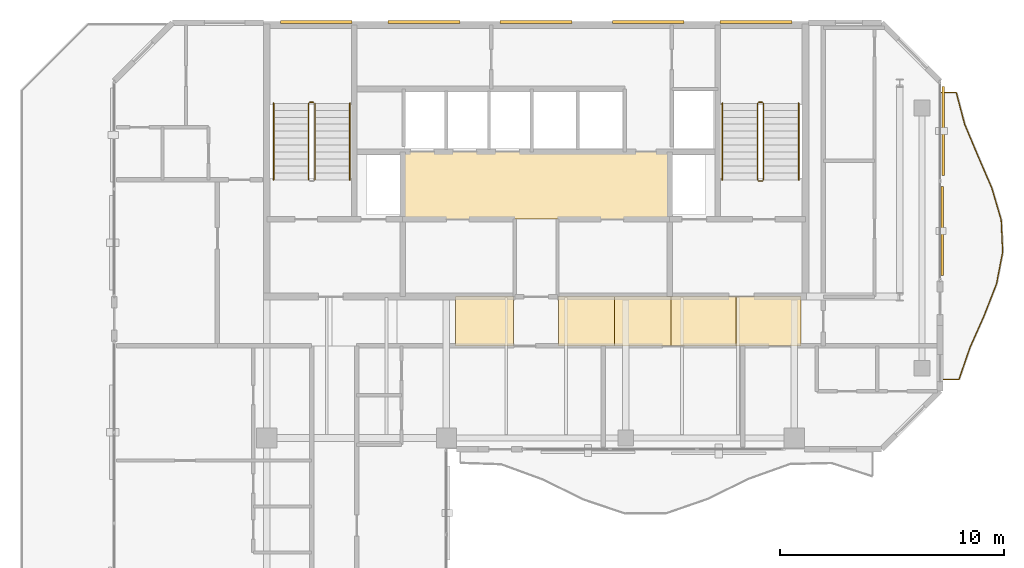
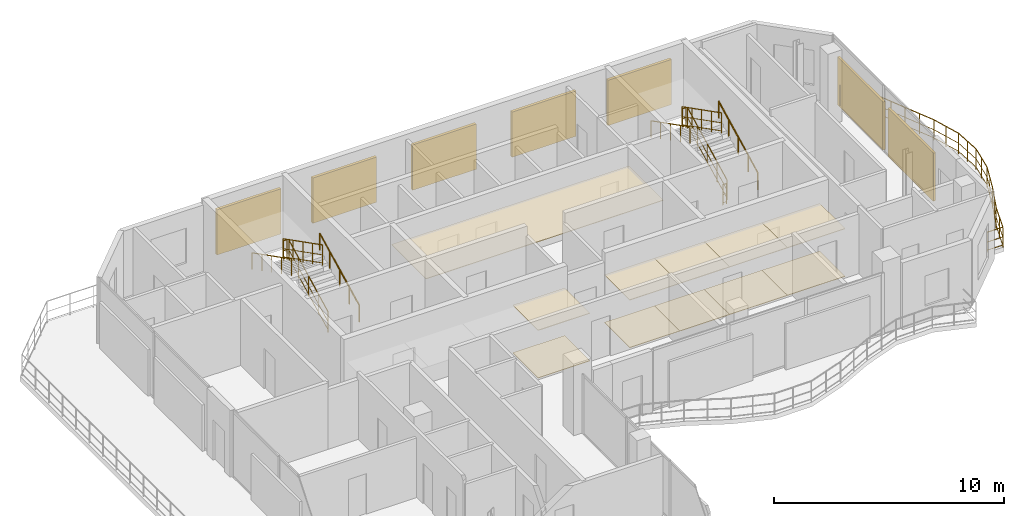
# One storey, part 18 of 18: 12 railings, 11 coverings, 7 shading devices.
"""IFC4 building model written with IfcOpenShell, lengths in metres."""

from ifc_helpers import new_model, si_unit, direction, frame, origin, origin_2d, place, context, subcontext, project, spatial, polyline, rectangle, circle, outline, extrude, material, layer, layer_set, type_object, element, save


model = new_model("IFC4")

# Units and contexts
model_context = context("Model", 3, precision=1e-05, world=origin(), true_north=direction((0.0, 1.0)))
body_context = subcontext(model_context, "Body", "Model", "MODEL_VIEW")
ifc_project = project(units=[si_unit("LENGTHUNIT", "METRE"), si_unit("AREAUNIT", "SQUARE_METRE"), si_unit("VOLUMEUNIT", "CUBIC_METRE"), si_unit("PLANEANGLEUNIT", "RADIAN"), si_unit("MASSUNIT", "GRAM", prefix="KILO")], contexts=[model_context])

# Site, building, storey
site_placement = place(None, origin())
site = spatial("IfcSite", under=ifc_project, at=site_placement, CompositionType="ELEMENT")
building_placement = place(site_placement, origin())
building = spatial("IfcBuilding", under=site, at=building_placement, Name="Catumbela Crestline Tower", CompositionType="ELEMENT")
storey_placement = place(building_placement, frame((0.0, 0.0, 264.0)))
storey = spatial("IfcBuildingStorey", under=building, at=storey_placement, Name="L68", CompositionType="ELEMENT", Elevation=264.0)

# Coverings
ifc_material_1 = material(Name="Mineral-fibre acoustic ceiling")
ifc_layer_1 = layer(ifc_material_1, 0.03, Name="Mineral-fibre acoustic ceiling")
ifc_layer_set_1 = layer_set([ifc_layer_1], Name="Mineral-fibre acoustic ceiling")
covering_type_1 = type_object("IfcCoveringType", Name="CC-AC", PredefinedType="CEILING", material=ifc_layer_set_1)
covering_1_placement = place(storey_placement, frame((0.0, 0.0, 2.65)))
element("IfcCovering", 1, at=covering_1_placement, inside=storey, type_object=covering_type_1, Name="L68 Lift Lobby Acoustic Ceiling", PredefinedType="CEILING", context=body_context, shape_type="SweptSolid", body=[
    extrude(outline(polyline([(22.05, 34.25), (33.95, 34.25), (33.95, 37.25), (22.05, 37.25), (22.05, 34.25)])), origin(), (0.0, 0.0, 1.0), 0.03),
])
covering_2_placement = place(storey_placement, frame((0.0, 0.0, 2.52)))
element("IfcCovering", 2, at=covering_2_placement, inside=storey, type_object=covering_type_1, Name="L68 Corridor Acoustic Ceiling Bay 4", PredefinedType="CEILING", context=body_context, shape_type="SweptSolid", body=[
    extrude(outline(polyline([(24.4, 28.6), (27.0, 28.6), (27.0, 30.8), (24.4, 30.8), (24.4, 28.6)])), origin(), (0.0, 0.0, 1.0), 0.03),
])
covering_3_placement = place(storey_placement, frame((0.0, 0.0, 2.52)))
element("IfcCovering", 3, at=covering_3_placement, inside=storey, type_object=covering_type_1, Name="L68 Corridor Acoustic Ceiling Bay 5", PredefinedType="CEILING", context=body_context, shape_type="SweptSolid", body=[
    extrude(outline(polyline([(29.0, 28.6), (31.5, 28.6), (31.5, 30.8), (29.0, 30.8), (29.0, 28.6)])), origin(), (0.0, 0.0, 1.0), 0.03),
])
covering_4_placement = place(storey_placement, frame((0.0, 0.0, 2.52)))
element("IfcCovering", 4, at=covering_4_placement, inside=storey, type_object=covering_type_1, Name="L68 Corridor Acoustic Ceiling Bay 6", PredefinedType="CEILING", context=body_context, shape_type="SweptSolid", body=[
    extrude(outline(polyline([(31.5, 28.6), (34.0, 28.6), (34.0, 30.8), (31.5, 30.8), (31.5, 28.6)])), origin(), (0.0, 0.0, 1.0), 0.03),
])
covering_5_placement = place(storey_placement, frame((0.0, 0.0, 2.52)))
element("IfcCovering", 5, at=covering_5_placement, inside=storey, type_object=covering_type_1, Name="L68 Corridor Acoustic Ceiling Bay 7", PredefinedType="CEILING", context=body_context, shape_type="SweptSolid", body=[
    extrude(outline(polyline([(34.0, 28.6), (36.9, 28.6), (36.9, 30.8), (34.0, 30.8), (34.0, 28.6)])), origin(), (0.0, 0.0, 1.0), 0.03),
])
covering_6_placement = place(storey_placement, frame((0.0, 0.0, 2.52)))
element("IfcCovering", 6, at=covering_6_placement, inside=storey, type_object=covering_type_1, Name="L68 Corridor Acoustic Ceiling Bay 8", PredefinedType="CEILING", context=body_context, shape_type="SweptSolid", body=[
    extrude(outline(polyline([(36.9, 28.6), (39.8, 28.6), (39.8, 30.8), (36.9, 30.8), (36.9, 28.6)])), origin(), (0.0, 0.0, 1.0), 0.03),
])
ifc_material_2 = material(Name="Angolan grey-ochre granite", Category="masonry")
ifc_layer_2 = layer(ifc_material_2, 0.025, Name="Angolan grey-ochre granite")
ifc_layer_set_2 = layer_set([ifc_layer_2], Name="Angolan grey-ochre granite")
covering_type_2 = type_object("IfcCoveringType", Name="CF-GR", PredefinedType="FLOORING", material=ifc_layer_set_2)
covering_7_placement = place(storey_placement, origin())
element("IfcCovering", 7, at=covering_7_placement, inside=storey, type_object=covering_type_2, Name="L68 Corridor Granite Flooring Bay 4", PredefinedType="FLOORING", context=body_context, shape_type="SweptSolid", body=[
    extrude(outline(polyline([(24.4, 28.6), (27.0, 28.6), (27.0, 30.8), (24.4, 30.8), (24.4, 28.6)])), origin(), (0.0, 0.0, 1.0), 0.025),
])
covering_8_placement = place(storey_placement, origin())
element("IfcCovering", 8, at=covering_8_placement, inside=storey, type_object=covering_type_2, Name="L68 Corridor Granite Flooring Bay 5", PredefinedType="FLOORING", context=body_context, shape_type="SweptSolid", body=[
    extrude(outline(polyline([(29.0, 28.6), (31.5, 28.6), (31.5, 30.8), (29.0, 30.8), (29.0, 28.6)])), origin(), (0.0, 0.0, 1.0), 0.025),
])
covering_9_placement = place(storey_placement, origin())
element("IfcCovering", 9, at=covering_9_placement, inside=storey, type_object=covering_type_2, Name="L68 Corridor Granite Flooring Bay 6", PredefinedType="FLOORING", context=body_context, shape_type="SweptSolid", body=[
    extrude(outline(polyline([(31.5, 28.6), (34.0, 28.6), (34.0, 30.8), (31.5, 30.8), (31.5, 28.6)])), origin(), (0.0, 0.0, 1.0), 0.025),
])
covering_10_placement = place(storey_placement, origin())
element("IfcCovering", 10, at=covering_10_placement, inside=storey, type_object=covering_type_2, Name="L68 Corridor Granite Flooring Bay 7", PredefinedType="FLOORING", context=body_context, shape_type="SweptSolid", body=[
    extrude(outline(polyline([(34.0, 28.6), (36.9, 28.6), (36.9, 30.8), (34.0, 30.8), (34.0, 28.6)])), origin(), (0.0, 0.0, 1.0), 0.025),
])
covering_11_placement = place(storey_placement, origin())
element("IfcCovering", 11, at=covering_11_placement, inside=storey, type_object=covering_type_2, Name="L68 Corridor Granite Flooring Bay 8", PredefinedType="FLOORING", context=body_context, shape_type="SweptSolid", body=[
    extrude(outline(polyline([(36.9, 28.6), (39.8, 28.6), (39.8, 30.8), (36.9, 30.8), (36.9, 28.6)])), origin(), (0.0, 0.0, 1.0), 0.025),
])

# Railings
ifc_material_3 = material(Name="Stainless steel EN 1.4401", Category="steel")
railing_type_1 = type_object("IfcRailingType", Name="RB-1100", PredefinedType="BALUSTRADE", material=ifc_material_3)
railing_1_placement = place(storey_placement, frame((46.06, 27.1, 0.0)))
element("IfcRailing", 12, at=railing_1_placement, inside=storey, type_object=railing_type_1, Name="L68 Private Wave Balcony Balustrade 2", PredefinedType="BALUSTRADE", context=body_context, shape_type="SweptSolid", body=[
    extrude(circle(Radius=0.024, at=origin_2d()), frame((0.0, 0.0, 1.076), z_axis=(1.0, 0.0, 0.0), x_axis=(0.0, 1.0, 0.0)), (0.0, 0.0, 1.0), 0.7801),
    extrude(circle(Radius=0.0156, at=origin_2d()), frame((0.0, 0.0, 0.55), z_axis=(1.0, 0.0, 0.0), x_axis=(0.0, 1.0, 0.0)), (0.0, 0.0, 1.0), 0.7801),
    extrude(circle(Radius=0.0156, at=origin_2d()), frame((0.0, 0.0, 0.12), z_axis=(1.0, 0.0, 0.0), x_axis=(0.0, 1.0, 0.0)), (0.0, 0.0, 1.0), 0.7801),
    extrude(circle(Radius=0.024, at=origin_2d()), frame((0.7801, 0.0, 1.076), z_axis=(0.325804244404, 0.945437250339, 0.0), x_axis=(-0.945437250339, 0.325804244404, 0.0)), (0.0, 0.0, 1.0), 1.5043),
    extrude(circle(Radius=0.0156, at=origin_2d()), frame((0.7801, 0.0, 0.55), z_axis=(0.325804244404, 0.945437250339, 0.0), x_axis=(-0.945437250339, 0.325804244404, 0.0)), (0.0, 0.0, 1.0), 1.5043),
    extrude(circle(Radius=0.0156, at=origin_2d()), frame((0.7801, 0.0, 0.12), z_axis=(0.325804244404, 0.945437250339, 0.0), x_axis=(-0.945437250339, 0.325804244404, 0.0)), (0.0, 0.0, 1.0), 1.5043),
    extrude(circle(Radius=0.024, at=origin_2d()), frame((1.2702, 1.4222, 1.076), z_axis=(0.405715057944, 0.913999612559, 0.0), x_axis=(-0.913999612559, 0.405715057944, 0.0)), (0.0, 0.0, 1.0), 1.556),
    extrude(circle(Radius=0.0156, at=origin_2d()), frame((1.2702, 1.4222, 0.55), z_axis=(0.405715057944, 0.913999612559, 0.0), x_axis=(-0.913999612559, 0.405715057944, 0.0)), (0.0, 0.0, 1.0), 1.556),
    extrude(circle(Radius=0.0156, at=origin_2d()), frame((1.2702, 1.4222, 0.12), z_axis=(0.405715057944, 0.913999612559, 0.0), x_axis=(-0.913999612559, 0.405715057944, 0.0)), (0.0, 0.0, 1.0), 1.556),
    extrude(circle(Radius=0.024, at=origin_2d()), frame((1.9015, 2.8444, 1.076), z_axis=(0.363460685069, 0.931609537526, 0.0), x_axis=(-0.931609537526, 0.363460685069, 0.0)), (0.0, 0.0, 1.0), 1.5267),
    extrude(circle(Radius=0.0156, at=origin_2d()), frame((1.9015, 2.8444, 0.55), z_axis=(0.363460685069, 0.931609537526, 0.0), x_axis=(-0.931609537526, 0.363460685069, 0.0)), (0.0, 0.0, 1.0), 1.5267),
    extrude(circle(Radius=0.0156, at=origin_2d()), frame((1.9015, 2.8444, 0.12), z_axis=(0.363460685069, 0.931609537526, 0.0), x_axis=(-0.931609537526, 0.363460685069, 0.0)), (0.0, 0.0, 1.0), 1.5267),
    extrude(circle(Radius=0.024, at=origin_2d()), frame((2.4564, 4.2667, 1.076), z_axis=(0.188913978258, 0.981993639907, 0.0), x_axis=(-0.981993639907, 0.188913978258, 0.0)), (0.0, 0.0, 1.0), 1.4483),
    extrude(circle(Radius=0.0156, at=origin_2d()), frame((2.4564, 4.2667, 0.55), z_axis=(0.188913978258, 0.981993639907, 0.0), x_axis=(-0.981993639907, 0.188913978258, 0.0)), (0.0, 0.0, 1.0), 1.4483),
    extrude(circle(Radius=0.0156, at=origin_2d()), frame((2.4564, 4.2667, 0.12), z_axis=(0.188913978258, 0.981993639907, 0.0), x_axis=(-0.981993639907, 0.188913978258, 0.0)), (0.0, 0.0, 1.0), 1.4483),
    extrude(circle(Radius=0.024, at=origin_2d()), frame((2.73, 5.6889, 1.076), z_axis=(-0.045796366123, 0.99895079601, 0.0), x_axis=(-0.99895079601, -0.045796366123, 0.0)), (0.0, 0.0, 1.0), 1.4237),
    extrude(circle(Radius=0.0156, at=origin_2d()), frame((2.73, 5.6889, 0.55), z_axis=(-0.045796366123, 0.99895079601, 0.0), x_axis=(-0.99895079601, -0.045796366123, 0.0)), (0.0, 0.0, 1.0), 1.4237),
    extrude(circle(Radius=0.0156, at=origin_2d()), frame((2.73, 5.6889, 0.12), z_axis=(-0.045796366123, 0.99895079601, 0.0), x_axis=(-0.99895079601, -0.045796366123, 0.0)), (0.0, 0.0, 1.0), 1.4237),
    extrude(circle(Radius=0.024, at=origin_2d()), frame((2.6648, 7.1111, 1.076), z_axis=(-0.28223205981, 0.95934616506, 0.0), x_axis=(-0.95934616506, -0.28223205981, 0.0)), (0.0, 0.0, 1.0), 1.4825),
    extrude(circle(Radius=0.0156, at=origin_2d()), frame((2.6648, 7.1111, 0.55), z_axis=(-0.28223205981, 0.95934616506, 0.0), x_axis=(-0.95934616506, -0.28223205981, 0.0)), (0.0, 0.0, 1.0), 1.4825),
    extrude(circle(Radius=0.0156, at=origin_2d()), frame((2.6648, 7.1111, 0.12), z_axis=(-0.28223205981, 0.95934616506, 0.0), x_axis=(-0.95934616506, -0.28223205981, 0.0)), (0.0, 0.0, 1.0), 1.4825),
    extrude(circle(Radius=0.024, at=origin_2d()), frame((2.2464, 8.5333, 1.076), z_axis=(-0.396068698819, 0.918220880734, 0.0), x_axis=(-0.918220880734, -0.396068698819, 0.0)), (0.0, 0.0, 1.0), 1.549),
    extrude(circle(Radius=0.0156, at=origin_2d()), frame((2.2464, 8.5333, 0.55), z_axis=(-0.396068698819, 0.918220880734, 0.0), x_axis=(-0.918220880734, -0.396068698819, 0.0)), (0.0, 0.0, 1.0), 1.549),
    extrude(circle(Radius=0.0156, at=origin_2d()), frame((2.2464, 8.5333, 0.12), z_axis=(-0.396068698819, 0.918220880734, 0.0), x_axis=(-0.918220880734, -0.396068698819, 0.0)), (0.0, 0.0, 1.0), 1.549),
    extrude(circle(Radius=0.024, at=origin_2d()), frame((1.6329, 9.9556, 1.076), z_axis=(-0.387219258555, 0.921987660332, 0.0), x_axis=(-0.921987660332, -0.387219258555, 0.0)), (0.0, 0.0, 1.0), 1.5425),
    extrude(circle(Radius=0.0156, at=origin_2d()), frame((1.6329, 9.9556, 0.55), z_axis=(-0.387219258555, 0.921987660332, 0.0), x_axis=(-0.921987660332, -0.387219258555, 0.0)), (0.0, 0.0, 1.0), 1.5425),
    extrude(circle(Radius=0.0156, at=origin_2d()), frame((1.6329, 9.9556, 0.12), z_axis=(-0.387219258555, 0.921987660332, 0.0), x_axis=(-0.921987660332, -0.387219258555, 0.0)), (0.0, 0.0, 1.0), 1.5425),
    extrude(circle(Radius=0.024, at=origin_2d()), frame((1.0356, 11.3778, 1.076), z_axis=(-0.255152495672, 0.966900824259, 0.0), x_axis=(-0.966900824259, -0.255152495672, 0.0)), (0.0, 0.0, 1.0), 1.4709),
    extrude(circle(Radius=0.0156, at=origin_2d()), frame((1.0356, 11.3778, 0.55), z_axis=(-0.255152495672, 0.966900824259, 0.0), x_axis=(-0.966900824259, -0.255152495672, 0.0)), (0.0, 0.0, 1.0), 1.4709),
    extrude(circle(Radius=0.0156, at=origin_2d()), frame((1.0356, 11.3778, 0.12), z_axis=(-0.255152495672, 0.966900824259, 0.0), x_axis=(-0.966900824259, -0.255152495672, 0.0)), (0.0, 0.0, 1.0), 1.4709),
    extrude(circle(Radius=0.024, at=origin_2d()), frame((0.6603, 12.8, 1.076), z_axis=(-1.0, 0.0, 0.0), x_axis=(0.0, -1.0, 0.0)), (0.0, 0.0, 1.0), 0.6603),
    extrude(circle(Radius=0.0156, at=origin_2d()), frame((0.6603, 12.8, 0.55), z_axis=(-1.0, 0.0, 0.0), x_axis=(0.0, -1.0, 0.0)), (0.0, 0.0, 1.0), 0.6603),
    extrude(circle(Radius=0.0156, at=origin_2d()), frame((0.6603, 12.8, 0.12), z_axis=(-1.0, 0.0, 0.0), x_axis=(0.0, -1.0, 0.0)), (0.0, 0.0, 1.0), 0.6603),
    extrude(circle(Radius=0.021, at=origin_2d()), origin(), (0.0, 0.0, 1.0), 1.052),
    extrude(circle(Radius=0.021, at=origin_2d()), frame((0.7801, 0.0, 0.0)), (0.0, 0.0, 1.0), 1.052),
    extrude(circle(Radius=0.021, at=origin_2d()), frame((1.0251, 0.7111, 0.0)), (0.0, 0.0, 1.0), 1.052),
    extrude(circle(Radius=0.021, at=origin_2d()), frame((1.2702, 1.4222, 0.0)), (0.0, 0.0, 1.0), 1.052),
    extrude(circle(Radius=0.021, at=origin_2d()), frame((1.5858, 2.1333, 0.0)), (0.0, 0.0, 1.0), 1.052),
    extrude(circle(Radius=0.021, at=origin_2d()), frame((1.9015, 2.8444, 0.0)), (0.0, 0.0, 1.0), 1.052),
    extrude(circle(Radius=0.021, at=origin_2d()), frame((2.1789, 3.5556, 0.0)), (0.0, 0.0, 1.0), 1.052),
    extrude(circle(Radius=0.021, at=origin_2d()), frame((2.4564, 4.2667, 0.0)), (0.0, 0.0, 1.0), 1.052),
    extrude(circle(Radius=0.021, at=origin_2d()), frame((2.5932, 4.9778, 0.0)), (0.0, 0.0, 1.0), 1.052),
    extrude(circle(Radius=0.021, at=origin_2d()), frame((2.73, 5.6889, 0.0)), (0.0, 0.0, 1.0), 1.052),
    extrude(circle(Radius=0.021, at=origin_2d()), frame((2.6974, 6.4, 0.0)), (0.0, 0.0, 1.0), 1.052),
    extrude(circle(Radius=0.021, at=origin_2d()), frame((2.6648, 7.1111, 0.0)), (0.0, 0.0, 1.0), 1.052),
    extrude(circle(Radius=0.021, at=origin_2d()), frame((2.4556, 7.8222, 0.0)), (0.0, 0.0, 1.0), 1.052),
    extrude(circle(Radius=0.021, at=origin_2d()), frame((2.2464, 8.5333, 0.0)), (0.0, 0.0, 1.0), 1.052),
    extrude(circle(Radius=0.021, at=origin_2d()), frame((1.9396, 9.2444, 0.0)), (0.0, 0.0, 1.0), 1.052),
    extrude(circle(Radius=0.021, at=origin_2d()), frame((1.6329, 9.9556, 0.0)), (0.0, 0.0, 1.0), 1.052),
    extrude(circle(Radius=0.021, at=origin_2d()), frame((1.3342, 10.6667, 0.0)), (0.0, 0.0, 1.0), 1.052),
    extrude(circle(Radius=0.021, at=origin_2d()), frame((1.0356, 11.3778, 0.0)), (0.0, 0.0, 1.0), 1.052),
    extrude(circle(Radius=0.021, at=origin_2d()), frame((0.8479, 12.0889, 0.0)), (0.0, 0.0, 1.0), 1.052),
    extrude(circle(Radius=0.021, at=origin_2d()), frame((0.6603, 12.8, 0.0)), (0.0, 0.0, 1.0), 1.052),
    extrude(circle(Radius=0.021, at=origin_2d()), frame((0.0, 12.8, 0.0)), (0.0, 0.0, 1.0), 1.052),
])
railing_type_2 = type_object("IfcRailingType", Name="RG-1100", PredefinedType="GUARDRAIL", material=ifc_material_3)
railing_2_placement = place(storey_placement, frame((18.14, 36.0, 0.1583)))
element("IfcRailing", 13, at=railing_2_placement, inside=storey, type_object=railing_type_2, Name="L68 ST-01 stair guard 1", PredefinedType="GUARDRAIL", context=body_context, shape_type="SweptSolid", body=[
    extrude(circle(Radius=0.024, at=origin_2d()), frame((0.0, 0.0, 1.076), z_axis=(0.0, 0.890560473983, 0.454864861447), x_axis=(-1.0, 0.0, 0.0)), (0.0, 0.0, 1.0), 3.829),
    extrude(circle(Radius=0.0156, at=origin_2d()), frame((0.0, 0.0, 0.55), z_axis=(0.0, 0.890560473983, 0.454864861447), x_axis=(-1.0, 0.0, 0.0)), (0.0, 0.0, 1.0), 3.829),
    extrude(circle(Radius=0.0156, at=origin_2d()), frame((0.0, 0.0, 0.12), z_axis=(0.0, 0.890560473983, 0.454864861447), x_axis=(-1.0, 0.0, 0.0)), (0.0, 0.0, 1.0), 3.829),
    extrude(circle(Radius=0.021, at=origin_2d()), origin(), (0.0, 0.0, 1.0), 1.052),
    extrude(circle(Radius=0.021, at=origin_2d()), frame((0.0, 0.8525, 0.4354)), (0.0, 0.0, 1.0), 1.052),
    extrude(circle(Radius=0.021, at=origin_2d()), frame((0.0, 1.705, 0.8708)), (0.0, 0.0, 1.0), 1.052),
    extrude(circle(Radius=0.021, at=origin_2d()), frame((0.0, 2.5575, 1.3063)), (0.0, 0.0, 1.0), 1.052),
    extrude(circle(Radius=0.021, at=origin_2d()), frame((0.0, 3.41, 1.7417)), (0.0, 0.0, 1.0), 1.052),
])
railing_3_placement = place(storey_placement, frame((18.09, 39.46, 1.9)))
element("IfcRailing", 14, at=railing_3_placement, inside=storey, type_object=railing_type_2, Name="L68 ST-01 stair guard 2", PredefinedType="GUARDRAIL", context=body_context, shape_type="SweptSolid", body=[
    extrude(circle(Radius=0.024, at=origin_2d()), frame((0.0, 0.0, 1.076), z_axis=(-1.0, 0.0, 0.0), x_axis=(0.0, -1.0, 0.0)), (0.0, 0.0, 1.0), 0.18),
    extrude(circle(Radius=0.0156, at=origin_2d()), frame((0.0, 0.0, 0.55), z_axis=(-1.0, 0.0, 0.0), x_axis=(0.0, -1.0, 0.0)), (0.0, 0.0, 1.0), 0.18),
    extrude(circle(Radius=0.0156, at=origin_2d()), frame((0.0, 0.0, 0.12), z_axis=(-1.0, 0.0, 0.0), x_axis=(0.0, -1.0, 0.0)), (0.0, 0.0, 1.0), 0.18),
    extrude(circle(Radius=0.021, at=origin_2d()), origin(), (0.0, 0.0, 1.0), 1.052),
    extrude(circle(Radius=0.021, at=origin_2d()), frame((-0.18, 0.0, 0.0)), (0.0, 0.0, 1.0), 1.052),
])
railing_4_placement = place(storey_placement, frame((17.86, 39.41, 2.0583)))
element("IfcRailing", 15, at=railing_4_placement, inside=storey, type_object=railing_type_2, Name="L68 ST-01 stair guard 3", PredefinedType="GUARDRAIL", context=body_context, shape_type="SweptSolid", body=[
    extrude(circle(Radius=0.024, at=origin_2d()), frame((0.0, 0.0, 1.076), z_axis=(0.0, -0.890560473983, 0.454864861447), x_axis=(1.0, 0.0, 0.0)), (0.0, 0.0, 1.0), 3.829),
    extrude(circle(Radius=0.0156, at=origin_2d()), frame((0.0, 0.0, 0.55), z_axis=(0.0, -0.890560473983, 0.454864861447), x_axis=(1.0, 0.0, 0.0)), (0.0, 0.0, 1.0), 3.829),
    extrude(circle(Radius=0.0156, at=origin_2d()), frame((0.0, 0.0, 0.12), z_axis=(0.0, -0.890560473983, 0.454864861447), x_axis=(1.0, 0.0, 0.0)), (0.0, 0.0, 1.0), 3.829),
    extrude(circle(Radius=0.021, at=origin_2d()), origin(), (0.0, 0.0, 1.0), 1.052),
    extrude(circle(Radius=0.021, at=origin_2d()), frame((0.0, -0.8525, 0.4354)), (0.0, 0.0, 1.0), 1.052),
    extrude(circle(Radius=0.021, at=origin_2d()), frame((0.0, -1.705, 0.8709)), (0.0, 0.0, 1.0), 1.052),
    extrude(circle(Radius=0.021, at=origin_2d()), frame((0.0, -2.5575, 1.3063)), (0.0, 0.0, 1.0), 1.052),
    extrude(circle(Radius=0.021, at=origin_2d()), frame((0.0, -3.41, 1.7417)), (0.0, 0.0, 1.0), 1.052),
])
railing_5_placement = place(storey_placement, frame((38.14, 36.0, 0.1583)))
element("IfcRailing", 16, at=railing_5_placement, inside=storey, type_object=railing_type_2, Name="L68 ST-02 stair guard 1", PredefinedType="GUARDRAIL", context=body_context, shape_type="SweptSolid", body=[
    extrude(circle(Radius=0.024, at=origin_2d()), frame((0.0, 0.0, 1.076), z_axis=(0.0, 0.890560473983, 0.454864861447), x_axis=(-1.0, 0.0, 0.0)), (0.0, 0.0, 1.0), 3.829),
    extrude(circle(Radius=0.0156, at=origin_2d()), frame((0.0, 0.0, 0.55), z_axis=(0.0, 0.890560473983, 0.454864861447), x_axis=(-1.0, 0.0, 0.0)), (0.0, 0.0, 1.0), 3.829),
    extrude(circle(Radius=0.0156, at=origin_2d()), frame((0.0, 0.0, 0.12), z_axis=(0.0, 0.890560473983, 0.454864861447), x_axis=(-1.0, 0.0, 0.0)), (0.0, 0.0, 1.0), 3.829),
    extrude(circle(Radius=0.021, at=origin_2d()), origin(), (0.0, 0.0, 1.0), 1.052),
    extrude(circle(Radius=0.021, at=origin_2d()), frame((0.0, 0.8525, 0.4354)), (0.0, 0.0, 1.0), 1.052),
    extrude(circle(Radius=0.021, at=origin_2d()), frame((0.0, 1.705, 0.8708)), (0.0, 0.0, 1.0), 1.052),
    extrude(circle(Radius=0.021, at=origin_2d()), frame((0.0, 2.5575, 1.3063)), (0.0, 0.0, 1.0), 1.052),
    extrude(circle(Radius=0.021, at=origin_2d()), frame((0.0, 3.41, 1.7417)), (0.0, 0.0, 1.0), 1.052),
])
railing_6_placement = place(storey_placement, frame((38.09, 39.46, 1.9)))
element("IfcRailing", 17, at=railing_6_placement, inside=storey, type_object=railing_type_2, Name="L68 ST-02 stair guard 2", PredefinedType="GUARDRAIL", context=body_context, shape_type="SweptSolid", body=[
    extrude(circle(Radius=0.024, at=origin_2d()), frame((0.0, 0.0, 1.076), z_axis=(-1.0, 0.0, 0.0), x_axis=(0.0, -1.0, 0.0)), (0.0, 0.0, 1.0), 0.18),
    extrude(circle(Radius=0.0156, at=origin_2d()), frame((0.0, 0.0, 0.55), z_axis=(-1.0, 0.0, 0.0), x_axis=(0.0, -1.0, 0.0)), (0.0, 0.0, 1.0), 0.18),
    extrude(circle(Radius=0.0156, at=origin_2d()), frame((0.0, 0.0, 0.12), z_axis=(-1.0, 0.0, 0.0), x_axis=(0.0, -1.0, 0.0)), (0.0, 0.0, 1.0), 0.18),
    extrude(circle(Radius=0.021, at=origin_2d()), origin(), (0.0, 0.0, 1.0), 1.052),
    extrude(circle(Radius=0.021, at=origin_2d()), frame((-0.18, 0.0, 0.0)), (0.0, 0.0, 1.0), 1.052),
])
railing_7_placement = place(storey_placement, frame((37.86, 39.41, 2.0583)))
element("IfcRailing", 18, at=railing_7_placement, inside=storey, type_object=railing_type_2, Name="L68 ST-02 stair guard 3", PredefinedType="GUARDRAIL", context=body_context, shape_type="SweptSolid", body=[
    extrude(circle(Radius=0.024, at=origin_2d()), frame((0.0, 0.0, 1.076), z_axis=(0.0, -0.890560473983, 0.454864861447), x_axis=(1.0, 0.0, 0.0)), (0.0, 0.0, 1.0), 3.829),
    extrude(circle(Radius=0.0156, at=origin_2d()), frame((0.0, 0.0, 0.55), z_axis=(0.0, -0.890560473983, 0.454864861447), x_axis=(1.0, 0.0, 0.0)), (0.0, 0.0, 1.0), 3.829),
    extrude(circle(Radius=0.0156, at=origin_2d()), frame((0.0, 0.0, 0.12), z_axis=(0.0, -0.890560473983, 0.454864861447), x_axis=(1.0, 0.0, 0.0)), (0.0, 0.0, 1.0), 3.829),
    extrude(circle(Radius=0.021, at=origin_2d()), origin(), (0.0, 0.0, 1.0), 1.052),
    extrude(circle(Radius=0.021, at=origin_2d()), frame((0.0, -0.8525, 0.4354)), (0.0, 0.0, 1.0), 1.052),
    extrude(circle(Radius=0.021, at=origin_2d()), frame((0.0, -1.705, 0.8709)), (0.0, 0.0, 1.0), 1.052),
    extrude(circle(Radius=0.021, at=origin_2d()), frame((0.0, -2.5575, 1.3063)), (0.0, 0.0, 1.0), 1.052),
    extrude(circle(Radius=0.021, at=origin_2d()), frame((0.0, -3.41, 1.7417)), (0.0, 0.0, 1.0), 1.052),
])
railing_8_placement = place(storey_placement, frame((38.09, 35.95, 0.0)))
element("IfcRailing", 19, at=railing_8_placement, inside=storey, type_object=railing_type_2, Name="L68 ST-02 stair guard 4", PredefinedType="GUARDRAIL", context=body_context, shape_type="SweptSolid", body=[
    extrude(circle(Radius=0.024, at=origin_2d()), frame((0.0, 0.0, 1.076), z_axis=(-1.0, 0.0, 0.0), x_axis=(0.0, -1.0, 0.0)), (0.0, 0.0, 1.0), 0.18),
    extrude(circle(Radius=0.0156, at=origin_2d()), frame((0.0, 0.0, 0.55), z_axis=(-1.0, 0.0, 0.0), x_axis=(0.0, -1.0, 0.0)), (0.0, 0.0, 1.0), 0.18),
    extrude(circle(Radius=0.0156, at=origin_2d()), frame((0.0, 0.0, 0.12), z_axis=(-1.0, 0.0, 0.0), x_axis=(0.0, -1.0, 0.0)), (0.0, 0.0, 1.0), 0.18),
    extrude(circle(Radius=0.021, at=origin_2d()), origin(), (0.0, 0.0, 1.0), 1.052),
    extrude(circle(Radius=0.021, at=origin_2d()), frame((-0.18, 0.0, 0.0)), (0.0, 0.0, 1.0), 1.052),
])
railing_type_3 = type_object("IfcRailingType", Name="RH-0900", PredefinedType="HANDRAIL", material=ifc_material_3)
railing_9_placement = place(storey_placement, frame((19.7, 36.0, 0.1583)))
element("IfcRailing", 20, at=railing_9_placement, inside=storey, type_object=railing_type_3, Name="L68 ST-01 stair handrail 1", PredefinedType="HANDRAIL", context=body_context, shape_type="SweptSolid", body=[
    extrude(circle(Radius=0.024, at=origin_2d()), frame((0.0, 0.0, 0.876), z_axis=(0.0, 0.890560473983, 0.454864861447), x_axis=(-1.0, 0.0, 0.0)), (0.0, 0.0, 1.0), 3.829),
    extrude(circle(Radius=0.021, at=origin_2d()), origin(), (0.0, 0.0, 1.0), 0.852),
    extrude(circle(Radius=0.021, at=origin_2d()), frame((0.0, 0.8525, 0.4354)), (0.0, 0.0, 1.0), 0.852),
    extrude(circle(Radius=0.021, at=origin_2d()), frame((0.0, 1.705, 0.8708)), (0.0, 0.0, 1.0), 0.852),
    extrude(circle(Radius=0.021, at=origin_2d()), frame((0.0, 2.5575, 1.3063)), (0.0, 0.0, 1.0), 0.852),
    extrude(circle(Radius=0.021, at=origin_2d()), frame((0.0, 3.41, 1.7417)), (0.0, 0.0, 1.0), 0.852),
])
railing_10_placement = place(storey_placement, frame((16.3, 39.41, 2.0583)))
element("IfcRailing", 21, at=railing_10_placement, inside=storey, type_object=railing_type_3, Name="L68 ST-01 stair handrail 2", PredefinedType="HANDRAIL", context=body_context, shape_type="SweptSolid", body=[
    extrude(circle(Radius=0.024, at=origin_2d()), frame((0.0, 0.0, 0.876), z_axis=(0.0, -0.890560473983, 0.454864861447), x_axis=(1.0, 0.0, 0.0)), (0.0, 0.0, 1.0), 3.829),
    extrude(circle(Radius=0.021, at=origin_2d()), origin(), (0.0, 0.0, 1.0), 0.852),
    extrude(circle(Radius=0.021, at=origin_2d()), frame((0.0, -0.8525, 0.4354)), (0.0, 0.0, 1.0), 0.852),
    extrude(circle(Radius=0.021, at=origin_2d()), frame((0.0, -1.705, 0.8709)), (0.0, 0.0, 1.0), 0.852),
    extrude(circle(Radius=0.021, at=origin_2d()), frame((0.0, -2.5575, 1.3063)), (0.0, 0.0, 1.0), 0.852),
    extrude(circle(Radius=0.021, at=origin_2d()), frame((0.0, -3.41, 1.7417)), (0.0, 0.0, 1.0), 0.852),
])
railing_11_placement = place(storey_placement, frame((39.7, 36.0, 0.1583)))
element("IfcRailing", 22, at=railing_11_placement, inside=storey, type_object=railing_type_3, Name="L68 ST-02 stair handrail 1", PredefinedType="HANDRAIL", context=body_context, shape_type="SweptSolid", body=[
    extrude(circle(Radius=0.024, at=origin_2d()), frame((0.0, 0.0, 0.876), z_axis=(0.0, 0.890560473983, 0.454864861447), x_axis=(-1.0, 0.0, 0.0)), (0.0, 0.0, 1.0), 3.829),
    extrude(circle(Radius=0.021, at=origin_2d()), origin(), (0.0, 0.0, 1.0), 0.852),
    extrude(circle(Radius=0.021, at=origin_2d()), frame((0.0, 0.8525, 0.4354)), (0.0, 0.0, 1.0), 0.852),
    extrude(circle(Radius=0.021, at=origin_2d()), frame((0.0, 1.705, 0.8708)), (0.0, 0.0, 1.0), 0.852),
    extrude(circle(Radius=0.021, at=origin_2d()), frame((0.0, 2.5575, 1.3063)), (0.0, 0.0, 1.0), 0.852),
    extrude(circle(Radius=0.021, at=origin_2d()), frame((0.0, 3.41, 1.7417)), (0.0, 0.0, 1.0), 0.852),
])
railing_12_placement = place(storey_placement, frame((36.3, 39.41, 2.0583)))
element("IfcRailing", 23, at=railing_12_placement, inside=storey, type_object=railing_type_3, Name="L68 ST-02 stair handrail 2", PredefinedType="HANDRAIL", context=body_context, shape_type="SweptSolid", body=[
    extrude(circle(Radius=0.024, at=origin_2d()), frame((0.0, 0.0, 0.876), z_axis=(0.0, -0.890560473983, 0.454864861447), x_axis=(1.0, 0.0, 0.0)), (0.0, 0.0, 1.0), 3.829),
    extrude(circle(Radius=0.021, at=origin_2d()), origin(), (0.0, 0.0, 1.0), 0.852),
    extrude(circle(Radius=0.021, at=origin_2d()), frame((0.0, -0.8525, 0.4354)), (0.0, 0.0, 1.0), 0.852),
    extrude(circle(Radius=0.021, at=origin_2d()), frame((0.0, -1.705, 0.8709)), (0.0, 0.0, 1.0), 0.852),
    extrude(circle(Radius=0.021, at=origin_2d()), frame((0.0, -2.5575, 1.3063)), (0.0, 0.0, 1.0), 0.852),
    extrude(circle(Radius=0.021, at=origin_2d()), frame((0.0, -3.41, 1.7417)), (0.0, 0.0, 1.0), 0.852),
])

# Shading devices
ifc_material_4 = material(Name="Extruded terracotta ceramic", Category="masonry")
shading_device_type_1 = type_object("IfcShadingDeviceType", Name="ST-180", PredefinedType="USERDEFINED", material=ifc_material_4)
shading_device_1_placement = place(storey_placement, frame((23.0, 43.04, 0.55), z_axis=(0.0, 0.0, 1.0), x_axis=(1.0, 0.0, 0.0)))
element("IfcShadingDevice", 24, at=shading_device_1_placement, inside=storey, type_object=shading_device_type_1, Name="L68 Rear Core Terracotta Brise-Soleil Screen 825", ObjectType="SCREEN", PredefinedType="USERDEFINED", context=body_context, shape_type="SweptSolid", body=[
    extrude(rectangle(XDim=3.2, YDim=0.14, at=origin_2d()), origin(), (0.0, 0.0, 1.0), 2.4),
])
shading_device_2_placement = place(storey_placement, frame((46.099, 33.725, -0.1), z_axis=(0.0, 0.0, 1.0), x_axis=(0.0, 1.0, 0.0)))
element("IfcShadingDevice", 25, at=shading_device_2_placement, inside=storey, type_object=shading_device_type_1, Name="L68 Perforated Terracotta Solar Screen 834 (180 mm)", ObjectType="SCREEN", PredefinedType="USERDEFINED", context=body_context, shape_type="SweptSolid", body=[
    extrude(rectangle(XDim=3.96, YDim=0.12, at=origin_2d()), origin(), (0.0, 0.0, 1.0), 2.55),
])
shading_device_type_2 = type_object("IfcShadingDeviceType", Name="ST-260", PredefinedType="USERDEFINED", material=ifc_material_4)
for number, where, z_axis, x_axis, name in (
    (26, (18.2, 43.04, 0.55), (0.0, 0.0, 1.0), (1.0, 0.0, 0.0), "L68 Rear Core Terracotta Brise-Soleil Screen 824"),
    (27, (33.0, 43.04, 0.55), (0.0, 0.0, 1.0), (1.0, 0.0, 0.0), "L68 Rear Core Terracotta Brise-Soleil Screen 827"),
):
    element("IfcShadingDevice", number, at=place(storey_placement, frame(where, z_axis=z_axis, x_axis=x_axis)), inside=storey, type_object=shading_device_type_2, Name=name, ObjectType="SCREEN", PredefinedType="USERDEFINED", context=body_context, shape_type="SweptSolid", body=[
        extrude(rectangle(XDim=3.2, YDim=0.14, at=origin_2d()), origin(), (0.0, 0.0, 1.0), 2.4),
    ])
shading_device_3_placement = place(storey_placement, frame((46.143, 38.175, -0.1), z_axis=(0.0, 0.0, 1.0), x_axis=(0.0, 1.0, 0.0)))
element("IfcShadingDevice", 28, at=shading_device_3_placement, inside=storey, type_object=shading_device_type_2, Name="L68 Perforated Terracotta Solar Screen 835 (260 mm)", ObjectType="SCREEN", PredefinedType="USERDEFINED", context=body_context, shape_type="SweptSolid", body=[
    extrude(rectangle(XDim=3.96, YDim=0.12, at=origin_2d()), origin(), (0.0, 0.0, 1.0), 2.55),
])
shading_device_type_3 = type_object("IfcShadingDeviceType", Name="ST-340", PredefinedType="USERDEFINED", material=ifc_material_4)
for number, where, z_axis, x_axis, name in (
    (29, (28.0, 43.04, 0.55), (0.0, 0.0, 1.0), (1.0, 0.0, 0.0), "L68 Rear Core Terracotta Brise-Soleil Screen 826"),
    (30, (37.8, 43.04, 0.55), (0.0, 0.0, 1.0), (1.0, 0.0, 0.0), "L68 Rear Core Terracotta Brise-Soleil Screen 828"),
):
    element("IfcShadingDevice", number, at=place(storey_placement, frame(where, z_axis=z_axis, x_axis=x_axis)), inside=storey, type_object=shading_device_type_3, Name=name, ObjectType="SCREEN", PredefinedType="USERDEFINED", context=body_context, shape_type="SweptSolid", body=[
        extrude(rectangle(XDim=3.2, YDim=0.14, at=origin_2d()), origin(), (0.0, 0.0, 1.0), 2.4),
    ])

save(model, "model.ifc")
